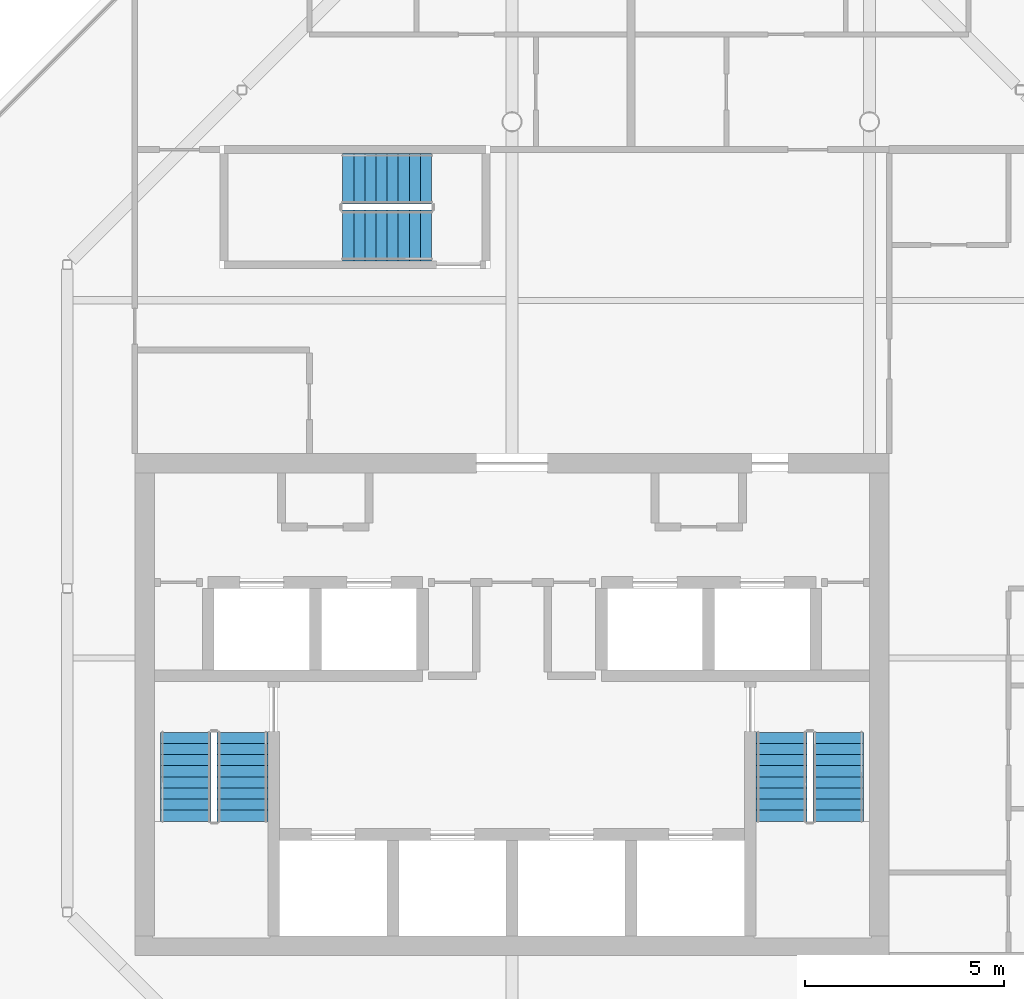
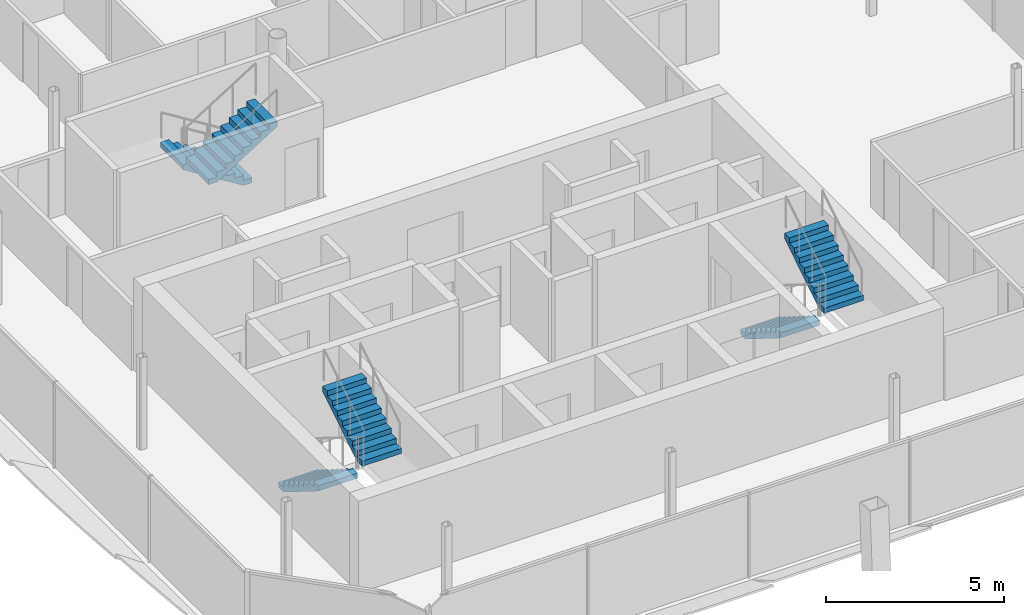
# One storey, part 12 of 16: 6 stair flights, 3 elements without a shape of their own.
"""IFC4 building model written with IfcOpenShell, lengths in metres."""

import ifcopenshell
import ifcopenshell.guid

model = None  # the IFC model being written
_history = None  # IfcOwnerHistory: only IFC2X3 demands one
_inside = {}  # id of a spatial element -> (the spatial element, [elements in it])
_under = {}  # id of a project, library or spatial element -> (it, [spatial elements below it])
_declared = {}  # id of a project -> (the project, [libraries it declares])
_typed = {}  # id of a type object -> (the type object, [elements of that type])
_made_of = {}  # id of a material, layer set ... -> (it, [elements and type objects made of it])


def new_model(schema):
    """Start an empty IFC model of exactly this schema.

    Asked for "IFC4X3", IfcOpenShell would pick the latest addendum, in which some entities
    have other attributes; the version numbers below select the first issue.
    IFC2X3 requires an IfcOwnerHistory on every rooted entity: one is made here for all.
    """
    global model, _history
    if schema == "IFC4X3":
        model = ifcopenshell.file(schema_version=(4, 3, 0, 0))
    else:
        model = ifcopenshell.file(schema=schema)
    _inside.clear()
    _under.clear()
    _declared.clear()
    _typed.clear()
    _made_of.clear()
    _history = None
    if model.schema == "IFC2X3":
        org = make("IfcOrganization", Name="unknown")
        user = make(
            "IfcPersonAndOrganization",
            ThePerson=make("IfcPerson", FamilyName="unknown"),
            TheOrganization=org,
        )
        app = make(
            "IfcApplication",
            ApplicationDeveloper=org,
            Version="unknown",
            ApplicationFullName="unknown",
            ApplicationIdentifier="unknown",
        )
        _history = make(
            "IfcOwnerHistory",
            OwningUser=user,
            OwningApplication=app,
            ChangeAction="ADDED",
            CreationDate=0,
        )
    return model


def make(cls, **values):
    """One entity of the class cls with the attributes given. An attribute that is None is left unset."""
    return model.create_entity(
        cls, **{name: value for name, value in values.items() if value is not None}
    )


def rooted(cls, **values):
    """An entity with a GlobalId (a new one), such as an element, a storey or a relation."""
    return make(cls, GlobalId=ifcopenshell.guid.new(), OwnerHistory=_history, **values)


def si_unit(unit_type, name, prefix=None):
    """IfcSIUnit, for example si_unit("LENGTHUNIT", "METRE", prefix="MILLI")."""
    return make("IfcSIUnit", UnitType=unit_type, Prefix=prefix, Name=name)


def assignment(units):
    """IfcUnitAssignment: the units of a project."""
    return None if units is None else make("IfcUnitAssignment", Units=units)


def point(xyz):
    """IfcCartesianPoint."""
    return None if xyz is None else make("IfcCartesianPoint", Coordinates=xyz)


def direction(xyz):
    """IfcDirection."""
    return None if xyz is None else make("IfcDirection", DirectionRatios=xyz)


def frame(location, z_axis=None, x_axis=None):
    """IfcAxis2Placement3D, a coordinate frame: its origin and axes. An axis left out is left unset."""
    return make(
        "IfcAxis2Placement3D",
        Location=point(location),
        Axis=direction(z_axis),
        RefDirection=direction(x_axis),
    )


def origin():
    """The frame at (0, 0, 0) with its axes left unset."""
    return frame((0.0, 0.0, 0.0))


def place(relative_to, where):
    """IfcLocalPlacement: puts the frame where relative to a parent placement (None: the world)."""
    return make(
        "IfcLocalPlacement", PlacementRelTo=relative_to, RelativePlacement=where
    )


def context(
    kind, dimensions, precision=None, world=None, true_north=None, identifier=None
):
    """IfcGeometricRepresentationContext, for example the 3D "Model" context."""
    return make(
        "IfcGeometricRepresentationContext",
        ContextIdentifier=identifier,
        ContextType=kind,
        CoordinateSpaceDimension=dimensions,
        Precision=precision,
        WorldCoordinateSystem=world,
        TrueNorth=true_north,
    )


def subcontext(parent, identifier, kind, view, scale=None):
    """IfcGeometricRepresentationSubContext, for example "Body" below "Model"."""
    return make(
        "IfcGeometricRepresentationSubContext",
        ContextIdentifier=identifier,
        ContextType=kind,
        ParentContext=parent,
        TargetScale=scale,
        TargetView=view,
    )


def project(units=None, contexts=None):
    """IfcProject with its units and contexts."""
    return rooted(
        "IfcProject",
        Name="project",
        RepresentationContexts=contexts,
        UnitsInContext=assignment(units),
    )


def spatial(cls, under=None, at=None, **own):
    """A site, building, storey or space (cls), placed at a placement, below another one or the project."""
    s = rooted(cls, ObjectPlacement=at, **own)
    if under is not None:
        _under.setdefault(under.id(), (under, []))[1].append(s)
    return s


def polyline(points):
    """IfcPolyline through the points."""
    return make("IfcPolyline", Points=[point(p) for p in points])


def outline(outer, holes=None, kind="AREA"):
    """IfcArbitraryClosedProfileDef: a profile drawn as a closed curve; with holes, ...WithVoids."""
    if holes is None:
        return make("IfcArbitraryClosedProfileDef", ProfileType=kind, OuterCurve=outer)
    return make(
        "IfcArbitraryProfileDefWithVoids",
        ProfileType=kind,
        OuterCurve=outer,
        InnerCurves=holes,
    )


def extrude(swept, where, along, depth):
    """IfcExtrudedAreaSolid: the profile swept, set in the frame where, extruded along a direction by depth."""
    return make(
        "IfcExtrudedAreaSolid",
        SweptArea=swept,
        Position=where,
        ExtrudedDirection=direction(along),
        Depth=depth,
    )


def shape(context_of_items, identifier, shape_type, items):
    """IfcShapeRepresentation: the items that make up one representation, for example the "Body"."""
    return make(
        "IfcShapeRepresentation",
        ContextOfItems=context_of_items,
        RepresentationIdentifier=identifier,
        RepresentationType=shape_type,
        Items=items,
    )


def material(Name=None, Category=None):
    """IfcMaterial."""
    return make("IfcMaterial", Name=Name, Category=Category)


def made_of(thing, what):
    """Note that an element or type object is made of a material, layer set ...; save() writes the relation."""
    if what is not None:
        _made_of.setdefault(what.id(), (what, []))[1].append(thing)
    return thing


def type_object(cls, material=None, **own):
    """A type object (cls), such as IfcWallType, which elements share."""
    return made_of(rooted(cls, **own), material)


def element(
    cls,
    number,
    at=None,
    inside=None,
    cuts=None,
    type_object=None,
    material=None,
    context=None,
    identifier="Body",
    shape_type=None,
    held_by="IfcProductDefinitionShape",
    body=None,
    shapes=None,
    **own,
):
    """One element of the class cls, such as IfcWall. Its Tag is "e" and its number.

    at: its placement. inside: the storey or other place that contains it. cuts: it is an
    opening in that element (IfcRelVoidsElement). A single representation is given by context,
    identifier, shape_type and body (its items); several are given by shapes. held_by: the class
    of the entity that holds the representations. save() writes the other relations.
    """
    e = rooted(cls, Tag="e%d" % number, ObjectPlacement=at, **own)
    if body is not None:
        shapes = [shape(context, identifier, shape_type, body)]
    if shapes is not None:
        e.Representation = make(held_by, Representations=shapes)
    if inside is not None:
        _inside.setdefault(inside.id(), (inside, []))[1].append(e)
    if cuts is not None:
        rooted(
            "IfcRelVoidsElement", RelatingBuildingElement=cuts, RelatedOpeningElement=e
        )
    if type_object is not None:
        _typed.setdefault(type_object.id(), (type_object, []))[1].append(e)
    return made_of(e, material)


def aggregate(whole, parts):
    """IfcRelAggregates: a whole, such as a stair, and the parts it consists of."""
    return rooted("IfcRelAggregates", RelatingObject=whole, RelatedObjects=parts)


def save(model, path):
    """Write the relations noted so far, then the file.

    IfcRelAggregates (storeys below a building ...), IfcRelContainedInSpatialStructure (elements
    in a storey), IfcRelDefinesByType, IfcRelAssociatesMaterial and IfcRelDeclares: one each for
    every whole, place, type object, material and project.
    """
    for whole, parts in _under.values():
        aggregate(whole, parts)
    for where, things in _inside.values():
        rooted(
            "IfcRelContainedInSpatialStructure",
            RelatedElements=things,
            RelatingStructure=where,
        )
    for kind, things in _typed.values():
        rooted("IfcRelDefinesByType", RelatedObjects=things, RelatingType=kind)
    for what, things in _made_of.values():
        rooted("IfcRelAssociatesMaterial", RelatedObjects=things, RelatingMaterial=what)
    for by, libraries in _declared.values():
        rooted("IfcRelDeclares", RelatingContext=by, RelatedDefinitions=libraries)
    model.write(path)


model = new_model("IFC4")

# Units and contexts
model_context = context("Model", 3, precision=1e-05, world=origin(), true_north=direction((0.0, 1.0)))
body_context = subcontext(model_context, "Body", "Model", "MODEL_VIEW")
ifc_project = project(units=[si_unit("LENGTHUNIT", "METRE"), si_unit("AREAUNIT", "SQUARE_METRE"), si_unit("VOLUMEUNIT", "CUBIC_METRE"), si_unit("PLANEANGLEUNIT", "RADIAN"), si_unit("MASSUNIT", "GRAM", prefix="KILO")], contexts=[model_context])

# Site, building, storey
site_placement = place(None, origin())
site = spatial("IfcSite", under=ifc_project, at=site_placement, CompositionType="ELEMENT")
building_placement = place(site_placement, origin())
building = spatial("IfcBuilding", under=site, at=building_placement, Name="Tskaro Facet Tower", CompositionType="ELEMENT")
storey_placement = place(building_placement, frame((0.0, 0.0, 265.800048828125)))
storey = spatial("IfcBuildingStorey", under=building, at=storey_placement, Name="L70", CompositionType="ELEMENT", Elevation=265.800048828125)

# Stair, stair flights
ifc_material = material(Name="Concrete C40/50", Category="concrete")
stair_type = type_object("IfcStairType", Name="ST-TWR", PredefinedType="HALF_TURN_STAIR", material=ifc_material)
stair_1_placement = place(storey_placement, origin())
stair_1 = element("IfcStair", 1, at=stair_1_placement, inside=storey, type_object=stair_type, Name="L70 Exit stair 1", PredefinedType="HALF_TURN_STAIR")
stair_flight_type = type_object("IfcStairFlightType", Name="SFL-RC", PredefinedType="STRAIGHT", material=ifc_material)
stair_flight_1_placement = place(storey_placement, frame((-8.21240234375, -6.375, 0.0), z_axis=(0.0, 0.0, 1.0), x_axis=(0.0, -1.0, 0.0)))
stair_flight_1 = element("IfcStairFlight", 2, at=stair_flight_1_placement, type_object=stair_flight_type, Name="ST-1 flight 1", NumberOfRisers=9, NumberOfTreads=8, PredefinedType="STRAIGHT", RiserHeight=0.175, TreadLength=0.28, context=body_context, shape_type="SweptSolid", body=[
    extrude(outline(polyline([(0.0, 0.0), (0.0, 0.175048828125), (0.280029296875, 0.175048828125), (0.280029296875, 0.35009765625), (0.56005859375, 0.35009765625), (0.56005859375, 0.52490234375), (0.840087890625, 0.52490234375), (0.840087890625, 0.699951171875), (1.1201171875, 0.699951171875), (1.1201171875, 0.875), (1.39990234375, 0.875), (1.39990234375, 1.050048828125), (1.679931640625, 1.050048828125), (1.679931640625, 1.22509765625), (1.9599609375, 1.22509765625), (1.9599609375, 1.39990234375), (2.239990234375, 1.39990234375), (2.239990234375, 1.574951171875), (2.239990234375, 1.22314453125), (0.28271484375, 0.0), (0.0, 0.0)])), frame((0.0, 0.637451171875, 0.0), z_axis=(0.0, -1.0, 0.0), x_axis=(1.0, 0.0, 0.0)), (0.0, 0.0, 1.0), 1.27490234375),
])
stair_flight_2_placement = place(storey_placement, frame((-6.78759765625, -8.614990234375, 1.574951171875), z_axis=(0.0, 0.0, 1.0), x_axis=(0.0, 1.0, 0.0)))
stair_flight_2 = element("IfcStairFlight", 3, at=stair_flight_2_placement, type_object=stair_flight_type, Name="ST-1 flight 2", NumberOfRisers=9, NumberOfTreads=8, PredefinedType="STRAIGHT", RiserHeight=0.175, TreadLength=0.28, context=body_context, shape_type="SweptSolid", body=[
    extrude(outline(polyline([(0.0, 0.0), (0.0, 0.175048828125), (0.280029296875, 0.175048828125), (0.280029296875, 0.35009765625), (0.56005859375, 0.35009765625), (0.56005859375, 0.52490234375), (0.840087890625, 0.52490234375), (0.840087890625, 0.699951171875), (1.1201171875, 0.699951171875), (1.1201171875, 0.875), (1.39990234375, 0.875), (1.39990234375, 1.050048828125), (1.679931640625, 1.050048828125), (1.679931640625, 1.22509765625), (1.9599609375, 1.22509765625), (1.9599609375, 1.39990234375), (2.239990234375, 1.39990234375), (2.239990234375, 1.574951171875), (2.239990234375, 1.22314453125), (0.28271484375, 0.0), (0.0, 0.0)])), frame((0.0, 0.637451171875, 0.0), z_axis=(0.0, -1.0, 0.0), x_axis=(1.0, 0.0, 0.0)), (0.0, 0.0, 1.0), 1.27490234375),
])
aggregate(stair_1, [stair_flight_1, stair_flight_2])

stair_2_placement = place(storey_placement, origin())
stair_2 = element("IfcStair", 4, at=stair_2_placement, inside=storey, type_object=stair_type, Name="L70 Exit stair 2", PredefinedType="HALF_TURN_STAIR")
stair_flight_3_placement = place(storey_placement, frame((6.78759765625, -6.375, 0.0), z_axis=(0.0, 0.0, 1.0), x_axis=(0.0, -1.0, 0.0)))
stair_flight_3 = element("IfcStairFlight", 5, at=stair_flight_3_placement, type_object=stair_flight_type, Name="ST-2 flight 1", NumberOfRisers=9, NumberOfTreads=8, PredefinedType="STRAIGHT", RiserHeight=0.175, TreadLength=0.28, context=body_context, shape_type="SweptSolid", body=[
    extrude(outline(polyline([(0.0, 0.0), (0.0, 0.175048828125), (0.280029296875, 0.175048828125), (0.280029296875, 0.35009765625), (0.56005859375, 0.35009765625), (0.56005859375, 0.52490234375), (0.840087890625, 0.52490234375), (0.840087890625, 0.699951171875), (1.1201171875, 0.699951171875), (1.1201171875, 0.875), (1.39990234375, 0.875), (1.39990234375, 1.050048828125), (1.679931640625, 1.050048828125), (1.679931640625, 1.22509765625), (1.9599609375, 1.22509765625), (1.9599609375, 1.39990234375), (2.239990234375, 1.39990234375), (2.239990234375, 1.574951171875), (2.239990234375, 1.22314453125), (0.28271484375, 0.0), (0.0, 0.0)])), frame((0.0, 0.637451171875, 0.0), z_axis=(0.0, -1.0, 0.0), x_axis=(1.0, 0.0, 0.0)), (0.0, 0.0, 1.0), 1.27490234375),
])
stair_flight_4_placement = place(storey_placement, frame((8.21240234375, -8.614990234375, 1.574951171875), z_axis=(0.0, 0.0, 1.0), x_axis=(0.0, 1.0, 0.0)))
stair_flight_4 = element("IfcStairFlight", 6, at=stair_flight_4_placement, type_object=stair_flight_type, Name="ST-2 flight 2", NumberOfRisers=9, NumberOfTreads=8, PredefinedType="STRAIGHT", RiserHeight=0.175, TreadLength=0.28, context=body_context, shape_type="SweptSolid", body=[
    extrude(outline(polyline([(0.0, 0.0), (0.0, 0.175048828125), (0.280029296875, 0.175048828125), (0.280029296875, 0.35009765625), (0.56005859375, 0.35009765625), (0.56005859375, 0.52490234375), (0.840087890625, 0.52490234375), (0.840087890625, 0.699951171875), (1.1201171875, 0.699951171875), (1.1201171875, 0.875), (1.39990234375, 0.875), (1.39990234375, 1.050048828125), (1.679931640625, 1.050048828125), (1.679931640625, 1.22509765625), (1.9599609375, 1.22509765625), (1.9599609375, 1.39990234375), (2.239990234375, 1.39990234375), (2.239990234375, 1.574951171875), (2.239990234375, 1.22314453125), (0.28271484375, 0.0), (0.0, 0.0)])), frame((0.0, 0.637451171875, 0.0), z_axis=(0.0, -1.0, 0.0), x_axis=(1.0, 0.0, 0.0)), (0.0, 0.0, 1.0), 1.27490234375),
])
aggregate(stair_2, [stair_flight_3, stair_flight_4])

stair_3_placement = place(storey_placement, origin())
stair_3 = element("IfcStair", 7, at=stair_3_placement, inside=storey, type_object=stair_type, Name="L70 Exit stair 3", PredefinedType="HALF_TURN_STAIR")
stair_flight_5_placement = place(storey_placement, frame((-2.02490234375, 7.5625, 0.0), z_axis=(0.0, 0.0, 1.0), x_axis=(-1.0, 0.0, 0.0)))
stair_flight_5 = element("IfcStairFlight", 8, at=stair_flight_5_placement, type_object=stair_flight_type, Name="ST-3 flight 1", NumberOfRisers=9, NumberOfTreads=8, PredefinedType="STRAIGHT", RiserHeight=0.175, TreadLength=0.28, context=body_context, shape_type="SweptSolid", body=[
    extrude(outline(polyline([(0.0, 0.0), (0.0, 0.175048828125), (0.280029296875, 0.175048828125), (0.280029296875, 0.35009765625), (0.56005859375, 0.35009765625), (0.56005859375, 0.52490234375), (0.840087890625, 0.52490234375), (0.840087890625, 0.699951171875), (1.1201171875, 0.699951171875), (1.1201171875, 0.875), (1.39990234375, 0.875), (1.39990234375, 1.050048828125), (1.679931640625, 1.050048828125), (1.679931640625, 1.22509765625), (1.9599609375, 1.22509765625), (1.9599609375, 1.39990234375), (2.239990234375, 1.39990234375), (2.239990234375, 1.574951171875), (2.239990234375, 1.22314453125), (0.28271484375, 0.0), (0.0, 0.0)])), frame((0.0, 0.637451171875, 0.0), z_axis=(0.0, -1.0, 0.0), x_axis=(1.0, 0.0, 0.0)), (0.0, 0.0, 1.0), 1.27490234375),
])
stair_flight_6_placement = place(storey_placement, frame((-4.264892578125, 6.137451171875, 1.574951171875), z_axis=(0.0, 0.0, 1.0), x_axis=(1.0, 0.0, 0.0)))
stair_flight_6 = element("IfcStairFlight", 9, at=stair_flight_6_placement, type_object=stair_flight_type, Name="ST-3 flight 2", NumberOfRisers=9, NumberOfTreads=8, PredefinedType="STRAIGHT", RiserHeight=0.175, TreadLength=0.28, context=body_context, shape_type="SweptSolid", body=[
    extrude(outline(polyline([(0.0, 0.0), (0.0, 0.175048828125), (0.280029296875, 0.175048828125), (0.280029296875, 0.35009765625), (0.56005859375, 0.35009765625), (0.56005859375, 0.52490234375), (0.840087890625, 0.52490234375), (0.840087890625, 0.699951171875), (1.1201171875, 0.699951171875), (1.1201171875, 0.875), (1.39990234375, 0.875), (1.39990234375, 1.050048828125), (1.679931640625, 1.050048828125), (1.679931640625, 1.22509765625), (1.9599609375, 1.22509765625), (1.9599609375, 1.39990234375), (2.239990234375, 1.39990234375), (2.239990234375, 1.574951171875), (2.239990234375, 1.22314453125), (0.28271484375, 0.0), (0.0, 0.0)])), frame((0.0, 0.637451171875, 0.0), z_axis=(0.0, -1.0, 0.0), x_axis=(1.0, 0.0, 0.0)), (0.0, 0.0, 1.0), 1.27490234375),
])
aggregate(stair_3, [stair_flight_5, stair_flight_6])

save(model, "model.ifc")
